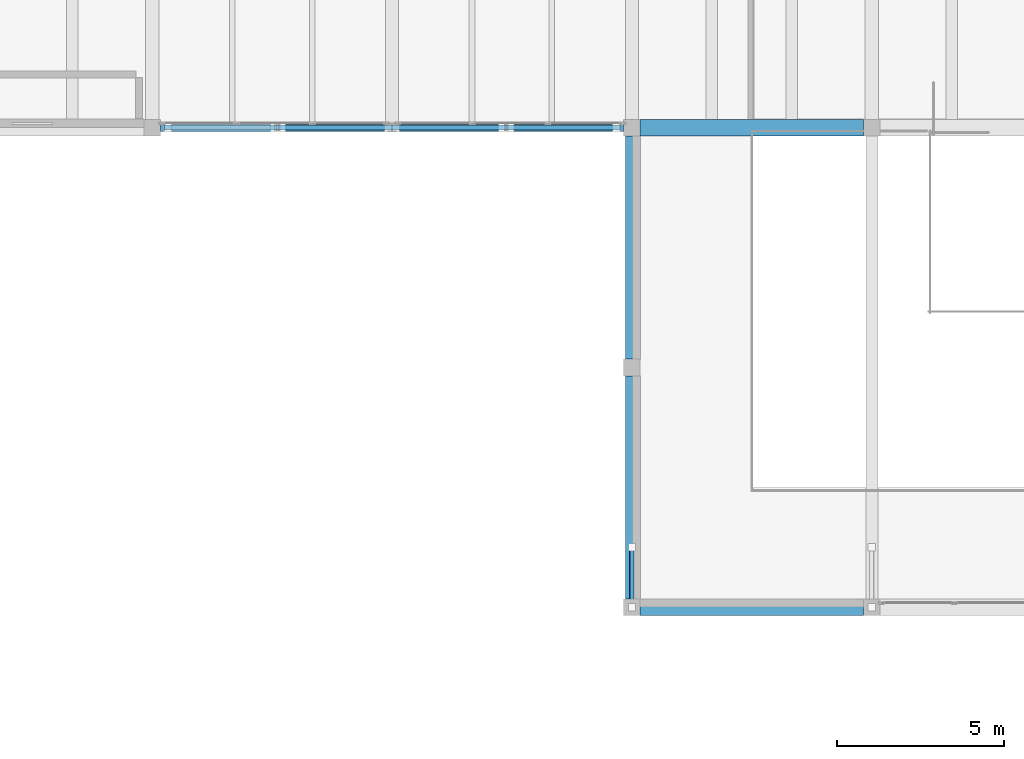
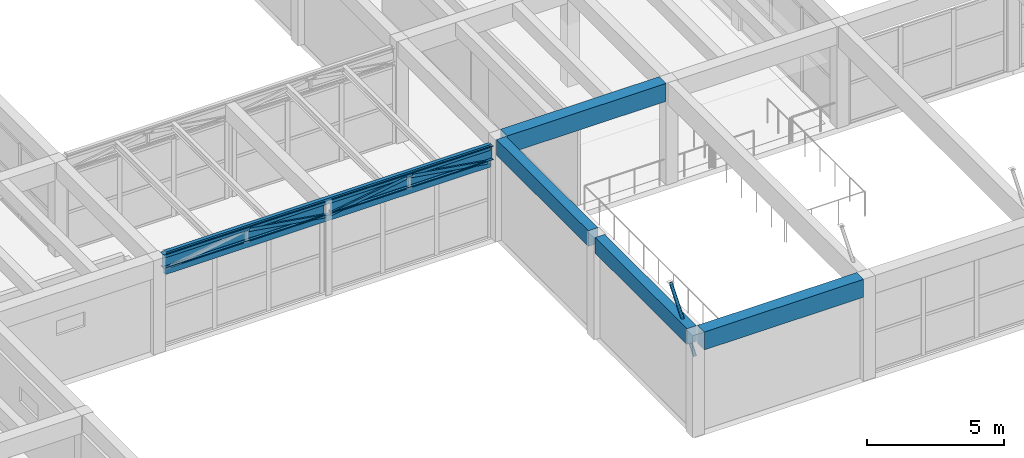
# One storey, part 21 of 153: 6 beams, 6 members.
"""IFC4 building model written with IfcOpenShell, lengths in metres."""

from ifc_helpers import new_model, si_unit, direction, frame, origin, origin_2d, place, context, subcontext, project, spatial, rectangle, hollow_rectangle, hollow_circle, i_section, extrude, material, material_profile, profile_set, type_object, element, save


model = new_model("IFC4")

# Units and contexts
model_context = context("Model", 3, precision=1e-05, world=origin(), true_north=direction((0.0, 1.0)))
body_context = subcontext(model_context, "Body", "Model", "MODEL_VIEW")
ifc_project = project(units=[si_unit("LENGTHUNIT", "METRE"), si_unit("AREAUNIT", "SQUARE_METRE"), si_unit("VOLUMEUNIT", "CUBIC_METRE"), si_unit("PLANEANGLEUNIT", "RADIAN"), si_unit("MASSUNIT", "GRAM", prefix="KILO")], contexts=[model_context])

# Site, building, storey
site_placement = place(None, origin())
site = spatial("IfcSite", under=ifc_project, at=site_placement, CompositionType="ELEMENT")
building_placement = place(site_placement, origin())
building = spatial("IfcBuilding", under=site, at=building_placement, Name="Bramvelor Terrace Health Centre", CompositionType="ELEMENT")
storey_placement = place(building_placement, frame((0.0, 0.0, 4.800048828125)))
storey = spatial("IfcBuildingStorey", under=building, at=storey_placement, Name="L02", CompositionType="ELEMENT", Elevation=4.800048828125)

# Beams
ifc_material_1 = material(Name="Concrete C40/50", Category="concrete")
ifc_material_profile_1 = material_profile(ifc_material_1, rectangle(XDim=0.39990234375, YDim=0.699951171875, at=origin_2d()), Name="RC 400x700")
ifc_profile_set_1 = profile_set([ifc_material_profile_1], Name="Concrete C40/50")
beam_type_1 = type_object("IfcBeamType", Name="BM-RC-G700", PredefinedType="BEAM", material=ifc_profile_set_1)
for number, where, z_axis, x_axis, name in (
    (1, (43.199951171875, 36.25, 4.199951171875), (0.0, 1.0, 0.0), (-1.0, 0.0, 0.0), "L02 Floor Girder"),
    (2, (43.199951171875, 43.449951171875, 4.199951171875), (0.0, 1.0, 0.0), (-1.0, 0.0, 0.0), "L02 Floor Girder"),
):
    element("IfcBeam", number, at=place(storey_placement, frame(where, z_axis=z_axis, x_axis=x_axis)), inside=storey, type_object=beam_type_1, Name=name, PredefinedType="BEAM", context=body_context, shape_type="SweptSolid", body=[
        extrude(rectangle(XDim=0.39990234375, YDim=0.699951171875, at=origin_2d()), origin(), (0.0, 0.0, 1.0), 6.699951171875),
    ])
ifc_material_2 = material(Name="Concrete C40/50", Category="concrete")
ifc_material_profile_2 = material_profile(ifc_material_2, rectangle(XDim=0.5, YDim=0.800048828125, at=origin_2d()), Name="RC 500x800")
ifc_profile_set_2 = profile_set([ifc_material_profile_2], Name="Concrete C40/50")
beam_type_2 = type_object("IfcBeamType", Name="BM-RC-G800", PredefinedType="BEAM", material=ifc_profile_set_2)
for number, where, z_axis, x_axis, name in (
    (3, (43.449951171875, 36.0, 4.14990234375), (1.0, 0.0, 0.0), (0.0, 1.0, 0.0), "L02 Floor Girder"),
    (4, (43.449951171875, 50.39990234375, 4.14990234375), (1.0, 0.0, 0.0), (0.0, 1.0, 0.0), "L02 Floor Girder"),
):
    element("IfcBeam", number, at=place(storey_placement, frame(where, z_axis=z_axis, x_axis=x_axis)), inside=storey, type_object=beam_type_2, Name=name, PredefinedType="BEAM", context=body_context, shape_type="SweptSolid", body=[
        extrude(rectangle(XDim=0.5, YDim=0.800048828125, at=origin_2d()), origin(), (0.0, 0.0, 1.0), 6.699951171875),
    ])
ifc_material_3 = material(Name="Steel S355J2", Category="steel")
ifc_material_profile_3 = material_profile(ifc_material_3, i_section(OverallWidth=0.22900390625, OverallDepth=0.6123046875, WebThickness=0.011962890625, FlangeThickness=0.01953125, FilletRadius=0.0126953125, at=origin_2d()), Name="UB 610x229x125")
ifc_profile_set_3 = profile_set([ifc_material_profile_3], Name="Steel S355J2")
beam_type_3 = type_object("IfcBeamType", Name="BM-STL-UB610", PredefinedType="BEAM", material=ifc_profile_set_3)
for number, where, z_axis, x_axis, name in (
    (5, (29.050048828125, 50.39990234375, 3.893798828125), (1.0, 0.0, 0.0), (0.0, 1.0, 0.0), "L02 Floor Girder"),
    (6, (36.128173828125, 50.39990234375, 3.893798828125), (1.0, 0.0, 0.0), (0.0, 1.0, 0.0), "L02 Floor Girder"),
):
    element("IfcBeam", number, at=place(storey_placement, frame(where, z_axis=z_axis, x_axis=x_axis)), inside=storey, type_object=beam_type_3, Name=name, PredefinedType="BEAM", context=body_context, shape_type="SweptSolid", body=[
        extrude(i_section(OverallWidth=0.22900390625, OverallDepth=0.6123046875, WebThickness=0.011962890625, FlangeThickness=0.01953125, FilletRadius=0.0126953125, at=origin_2d()), origin(), (0.0, 0.0, 1.0), 6.82177734375),
    ])

# Members
ifc_material_4 = material(Name="Steel S355J2", Category="steel")
ifc_material_profile_4 = material_profile(ifc_material_4, hollow_circle(Radius=0.06982421875, WallThickness=0.0048828125, at=origin_2d()), Name="CHS 139.7x5.0")
ifc_profile_set_4 = profile_set([ifc_material_profile_4], Name="Steel S355J2")
member_type_1 = type_object("IfcMemberType", Name="MEM-STL-CHS139", PredefinedType="STRUT", material=ifc_profile_set_4)
member_1_placement = place(storey_placement, frame((43.199951171875, 36.0, 3.39990234375), z_axis=(0.0, 0.62952484871, 0.776980350367), x_axis=(-1.0, 0.0, 0.0)))
element("IfcMember", 7, at=member_1_placement, inside=storey, type_object=member_type_1, Name="Waiting Hall Storm-Eave Knee Strut S1", PredefinedType="STRUT", context=body_context, shape_type="SweptSolid", body=[
    extrude(hollow_circle(Radius=0.06982421875, WallThickness=0.0048828125, at=origin_2d()), origin(), (0.0, 0.0, 1.0), 2.859375),
])
ifc_material_5 = material(Name="Steel S355J2", Category="steel")
ifc_material_profile_5 = material_profile(ifc_material_5, hollow_rectangle(XDim=0.14990234375, YDim=0.25, WallThickness=0.008056640625, at=origin_2d()), Name="RHS 250x150x8.0")
ifc_profile_set_5 = profile_set([ifc_material_profile_5], Name="Steel S355J2")
member_type_2 = type_object("IfcMemberType", Name="MEM-STL-RHS250", PredefinedType="CHORD", material=ifc_profile_set_5)
for number, where, z_axis, x_axis, name in (
    (8, (29.14990234375, 50.39990234375, 3.39990234375), (1.0, 0.0, 0.0), (0.0, 1.0, 0.0), "BR1 Bridge Truss Bottom Chord"),
    (9, (29.14990234375, 50.39990234375, 4.14990234375), (1.0, 0.0, 0.0), (0.0, 1.0, 0.0), "BR1 Bridge Truss Top Chord"),
):
    element("IfcMember", number, at=place(storey_placement, frame(where, z_axis=z_axis, x_axis=x_axis)), inside=storey, type_object=member_type_2, Name=name, PredefinedType="CHORD", context=body_context, shape_type="SweptSolid", body=[
        extrude(hollow_rectangle(XDim=0.14990234375, YDim=0.25, WallThickness=0.008056640625, at=origin_2d()), origin(), (0.0, 0.0, 1.0), 13.7001953125),
    ])
ifc_material_6 = material(Name="Steel S355J2", Category="steel")
ifc_material_profile_6 = material_profile(ifc_material_6, hollow_rectangle(XDim=0.14990234375, YDim=0.14990234375, WallThickness=0.00634765625, at=origin_2d()), Name="SHS 150x150x6.3")
ifc_profile_set_6 = profile_set([ifc_material_profile_6], Name="Steel S355J2")
member_type_3 = type_object("IfcMemberType", Name="MEM-STL-SHS150", PredefinedType="BRACE", material=ifc_profile_set_6)
for number, where, z_axis, x_axis, name in (
    (10, (32.695068359375, 50.39990234375, 4.030029296875), (0.987419367446, 0.0, -0.158123346768), (0.0, 1.0, 0.0), "BR1 Bridge Truss Web Diagonal 1"),
    (11, (36.1201171875, 50.39990234375, 3.52001953125), (0.987419367446, 0.0, 0.158123346768), (0.0, 1.0, 0.0), "BR1 Bridge Truss Web Diagonal 2"),
):
    element("IfcMember", number, at=place(storey_placement, frame(where, z_axis=z_axis, x_axis=x_axis)), inside=storey, type_object=member_type_3, Name=name, PredefinedType="BRACE", context=body_context, shape_type="SweptSolid", body=[
        extrude(hollow_rectangle(XDim=0.14990234375, YDim=0.14990234375, WallThickness=0.00634765625, at=origin_2d()), origin(), (0.0, 0.0, 1.0), 3.225341796875),
    ])
member_2_placement = place(storey_placement, frame((39.544921875, 50.39990234375, 4.030029296875), z_axis=(0.987421259793, 0.0, -0.158111529335), x_axis=(0.0, 1.0, 0.0)))
element("IfcMember", 12, at=member_2_placement, inside=storey, type_object=member_type_3, Name="BR1 Bridge Truss Web Diagonal 3", PredefinedType="BRACE", context=body_context, shape_type="SweptSolid", body=[
    extrude(hollow_rectangle(XDim=0.14990234375, YDim=0.14990234375, WallThickness=0.00634765625, at=origin_2d()), origin(), (0.0, 0.0, 1.0), 3.2255859375),
])

save(model, "model.ifc")
